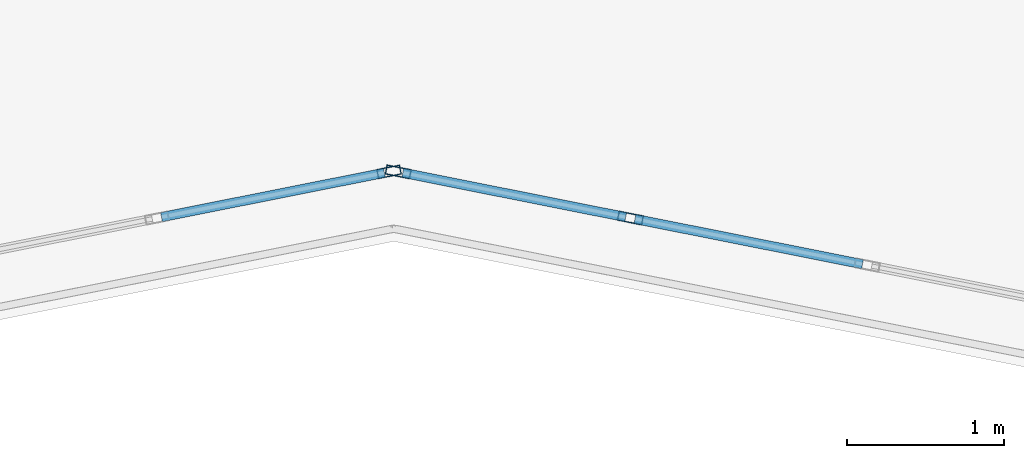
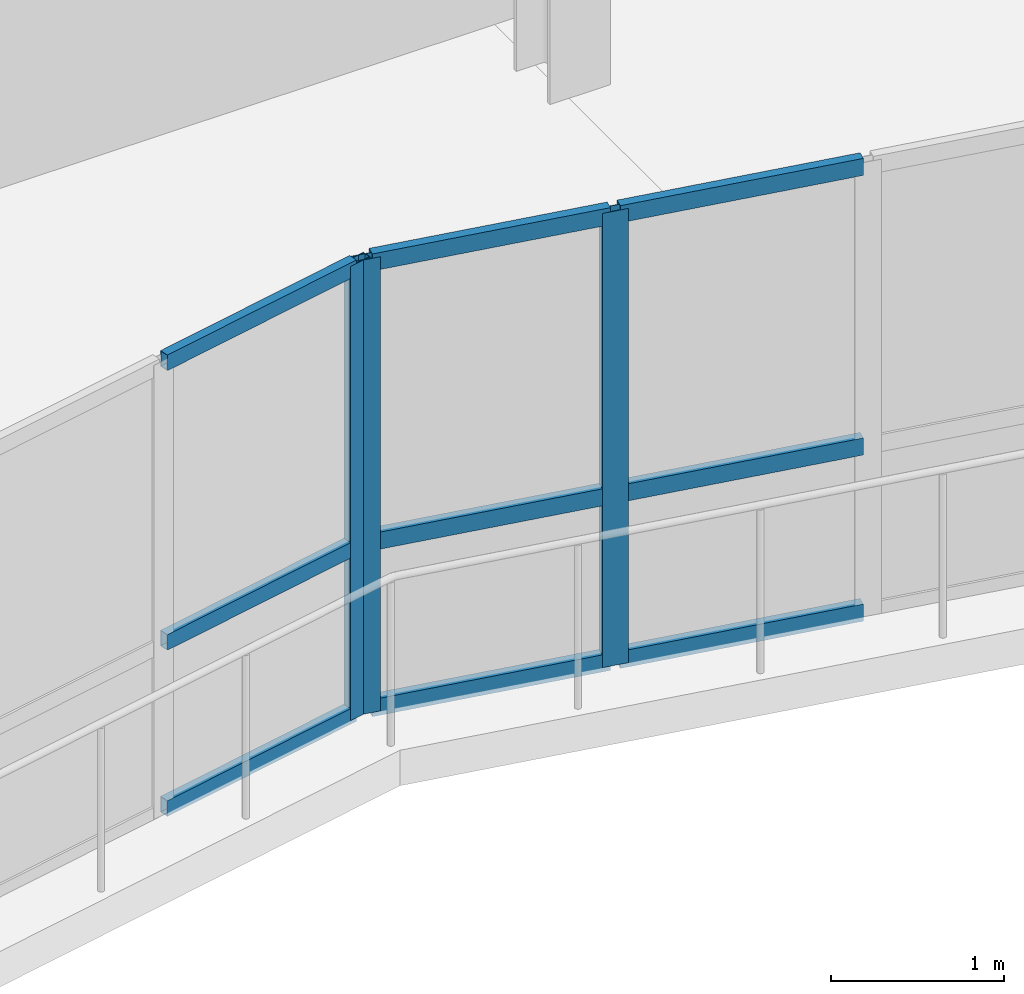
# One storey, part 23 of 110: 12 members, 2 elements without a shape of their own.
"""IFC4 building model written with IfcOpenShell, lengths in metres."""

from ifc_helpers import new_model, si_unit, direction, frame, origin, origin_2d, place, context, subcontext, project, spatial, hollow_rectangle, extrude, material, layer, layer_set, material_profile, profile_set, type_object, element, aggregate, save


model = new_model("IFC4")

# Units and contexts
model_context = context("Model", 3, precision=1e-05, world=origin(), true_north=direction((0.0, 1.0)))
body_context = subcontext(model_context, "Body", "Model", "MODEL_VIEW")
ifc_project = project(units=[si_unit("LENGTHUNIT", "METRE"), si_unit("AREAUNIT", "SQUARE_METRE"), si_unit("VOLUMEUNIT", "CUBIC_METRE"), si_unit("PLANEANGLEUNIT", "RADIAN"), si_unit("MASSUNIT", "GRAM", prefix="KILO"), si_unit("THERMODYNAMICTEMPERATUREUNIT", "KELVIN")], contexts=[model_context])

# Site, building, storey
site_placement = place(None, origin())
site = spatial("IfcSite", under=ifc_project, at=site_placement, CompositionType="ELEMENT")
building_placement = place(site_placement, origin())
building = spatial("IfcBuilding", under=site, at=building_placement, Name="Lustrewick Department Store", CompositionType="ELEMENT")
storey_placement = place(building_placement, frame((0.0, 0.0, 6.0)))
storey = spatial("IfcBuildingStorey", under=building, at=storey_placement, Name="L02", CompositionType="ELEMENT", Elevation=6.0)

# Curtain wall, members
ifc_material = material(Name="Thermally broken aluminium 6063-T5", Category="aluminium")
ifc_layer_1 = layer(ifc_material, 0.159912109375, Name="Thermally broken aluminium 6063-T5")
ifc_layer_set_1 = layer_set([ifc_layer_1], Name="Thermally broken aluminium 6063-T5")
curtain_wall_type_1 = type_object("IfcCurtainWallType", Name="CW17", PredefinedType="NOTDEFINED", material=ifc_layer_set_1)
curtain_wall_1_placement = place(storey_placement, origin())
curtain_wall_1 = element("IfcCurtainWall", 1, at=curtain_wall_1_placement, inside=storey, type_object=curtain_wall_type_1, Name="L02 Atrium Glazed Screen CW17", PredefinedType="NOTDEFINED")
ifc_material_profile_1 = material_profile(ifc_material, hollow_rectangle(XDim=0.06005859375, YDim=0.159912109375, WallThickness=0.00390625, at=origin_2d()), Name="ALU-M 60x160x4")
ifc_profile_set_1 = profile_set([ifc_material_profile_1], Name="Thermally broken aluminium 6063-T5")
member_type_1 = type_object("IfcMemberType", Name="CW17-M1", PredefinedType="MULLION", material=ifc_profile_set_1)
member_1_placement = place(storey_placement, frame((30.91162109375, 78.749267578125, 0.0), z_axis=(0.0, 0.0, 1.0), x_axis=(-0.195084537521, -0.980786430993, 0.0)))
member_1 = element("IfcMember", 2, at=member_1_placement, type_object=member_type_1, Name="CW17 mullion 3", PredefinedType="MULLION", context=body_context, shape_type="SweptSolid", body=[
    extrude(hollow_rectangle(XDim=0.06005859375, YDim=0.159912109375, WallThickness=0.00390625, at=origin_2d()), origin(), (0.0, 0.0, 1.0), 3.199951171875),
])
member_2_placement = place(storey_placement, frame((29.429443359375, 79.044189453125, 0.0), z_axis=(0.0, 0.0, 1.0), x_axis=(-0.195084537521, -0.980786430993, 0.0)))
member_2 = element("IfcMember", 3, at=member_2_placement, type_object=member_type_1, Name="CW17 mullion 4", PredefinedType="MULLION", context=body_context, shape_type="SweptSolid", body=[
    extrude(hollow_rectangle(XDim=0.06005859375, YDim=0.159912109375, WallThickness=0.00390625, at=origin_2d()), origin(), (0.0, 0.0, 1.0), 3.199951171875),
])
ifc_material_profile_2 = material_profile(ifc_material, hollow_rectangle(XDim=0.06005859375, YDim=0.1201171875, WallThickness=0.00341796875, at=origin_2d()), Name="ALU-T 60x120x3.5")
ifc_profile_set_2 = profile_set([ifc_material_profile_2], Name="Thermally broken aluminium 6063-T5")
member_type_2 = type_object("IfcMemberType", Name="CW17-T1", PredefinedType="USERDEFINED", material=ifc_profile_set_2)
member_3_placement = place(storey_placement, frame((32.393798828125, 78.45458984375, 0.030029296875), z_axis=(-0.980808215859, 0.194974982249, 0.0), x_axis=(-0.194974982249, -0.980808215859, 0.0)))
member_3 = element("IfcMember", 4, at=member_3_placement, type_object=member_type_2, Name="CW17 transom 2.1", ObjectType="TRANSOM", PredefinedType="USERDEFINED", context=body_context, shape_type="SweptSolid", body=[
    extrude(hollow_rectangle(XDim=0.06005859375, YDim=0.1201171875, WallThickness=0.00341796875, at=origin_2d()), origin(), (0.0, 0.0, 1.0), 1.481201171875),
])
member_4_placement = place(storey_placement, frame((32.393798828125, 78.45458984375, 1.199951171875), z_axis=(-0.980808215859, 0.194974982249, 0.0), x_axis=(-0.194974982249, -0.980808215859, 0.0)))
member_4 = element("IfcMember", 5, at=member_4_placement, type_object=member_type_2, Name="CW17 transom 2.2", ObjectType="TRANSOM", PredefinedType="USERDEFINED", context=body_context, shape_type="SweptSolid", body=[
    extrude(hollow_rectangle(XDim=0.06005859375, YDim=0.1201171875, WallThickness=0.00341796875, at=origin_2d()), origin(), (0.0, 0.0, 1.0), 1.481201171875),
])
member_5_placement = place(storey_placement, frame((32.393798828125, 78.45458984375, 3.169921875), z_axis=(-0.980808215859, 0.194974982249, 0.0), x_axis=(-0.194974982249, -0.980808215859, 0.0)))
member_5 = element("IfcMember", 6, at=member_5_placement, type_object=member_type_2, Name="CW17 transom 2.3", ObjectType="TRANSOM", PredefinedType="USERDEFINED", context=body_context, shape_type="SweptSolid", body=[
    extrude(hollow_rectangle(XDim=0.06005859375, YDim=0.1201171875, WallThickness=0.00341796875, at=origin_2d()), origin(), (0.0, 0.0, 1.0), 1.481201171875),
])
member_6_placement = place(storey_placement, frame((30.882080078125, 78.755126953125, 0.030029296875), z_axis=(-0.980774305612, 0.195145487909, 0.0), x_axis=(-0.195145487909, -0.980774305612, 0.0)))
member_6 = element("IfcMember", 7, at=member_6_placement, type_object=member_type_2, Name="CW17 transom 3.1", ObjectType="TRANSOM", PredefinedType="USERDEFINED", context=body_context, shape_type="SweptSolid", body=[
    extrude(hollow_rectangle(XDim=0.06005859375, YDim=0.1201171875, WallThickness=0.00341796875, at=origin_2d()), origin(), (0.0, 0.0, 1.0), 1.451171875),
])
member_7_placement = place(storey_placement, frame((30.882080078125, 78.755126953125, 1.199951171875), z_axis=(-0.980774305612, 0.195145487909, 0.0), x_axis=(-0.195145487909, -0.980774305612, 0.0)))
member_7 = element("IfcMember", 8, at=member_7_placement, type_object=member_type_2, Name="CW17 transom 3.2", ObjectType="TRANSOM", PredefinedType="USERDEFINED", context=body_context, shape_type="SweptSolid", body=[
    extrude(hollow_rectangle(XDim=0.06005859375, YDim=0.1201171875, WallThickness=0.00341796875, at=origin_2d()), origin(), (0.0, 0.0, 1.0), 1.451171875),
])
member_8_placement = place(storey_placement, frame((30.882080078125, 78.755126953125, 3.169921875), z_axis=(-0.980774305612, 0.195145487909, 0.0), x_axis=(-0.195145487909, -0.980774305612, 0.0)))
member_8 = element("IfcMember", 9, at=member_8_placement, type_object=member_type_2, Name="CW17 transom 3.3", ObjectType="TRANSOM", PredefinedType="USERDEFINED", context=body_context, shape_type="SweptSolid", body=[
    extrude(hollow_rectangle(XDim=0.06005859375, YDim=0.1201171875, WallThickness=0.00341796875, at=origin_2d()), origin(), (0.0, 0.0, 1.0), 1.451171875),
])
aggregate(curtain_wall_1, [member_1, member_2, member_3, member_4, member_5, member_6, member_7, member_8])

ifc_layer_2 = layer(ifc_material, 0.14990234375, Name="Thermally broken aluminium 6063-T5")
ifc_layer_set_2 = layer_set([ifc_layer_2], Name="Thermally broken aluminium 6063-T5")
curtain_wall_type_2 = type_object("IfcCurtainWallType", Name="CW18", PredefinedType="NOTDEFINED", material=ifc_layer_set_2)
curtain_wall_2_placement = place(storey_placement, origin())
curtain_wall_2 = element("IfcCurtainWall", 10, at=curtain_wall_2_placement, inside=storey, type_object=curtain_wall_type_2, Name="L02 Atrium Glazed Screen CW18", PredefinedType="NOTDEFINED")
ifc_material_profile_3 = material_profile(ifc_material, hollow_rectangle(XDim=0.06005859375, YDim=0.14990234375, WallThickness=0.00341796875, at=origin_2d()), Name="ALU-M 60x150x3.5")
ifc_profile_set_3 = profile_set([ifc_material_profile_3], Name="Thermally broken aluminium 6063-T5")
member_type_3 = type_object("IfcMemberType", Name="CW18-M1", PredefinedType="MULLION", material=ifc_profile_set_3)
member_9_placement = place(storey_placement, frame((29.37060546875, 79.044189453125, 0.0), z_axis=(0.0, 0.0, 1.0), x_axis=(0.195084537521, -0.980786430993, 0.0)))
member_9 = element("IfcMember", 11, at=member_9_placement, type_object=member_type_3, Name="CW18 mullion 1", PredefinedType="MULLION", context=body_context, shape_type="SweptSolid", body=[
    extrude(hollow_rectangle(XDim=0.06005859375, YDim=0.14990234375, WallThickness=0.00341796875, at=origin_2d()), origin(), (0.0, 0.0, 1.0), 3.199951171875),
])
ifc_material_profile_4 = material_profile(ifc_material, hollow_rectangle(XDim=0.06005859375, YDim=0.110107421875, WallThickness=0.0029296875, at=origin_2d()), Name="ALU-T 60x110x3")
ifc_profile_set_4 = profile_set([ifc_material_profile_4], Name="Thermally broken aluminium 6063-T5")
member_type_4 = type_object("IfcMemberType", Name="CW18-T1", PredefinedType="USERDEFINED", material=ifc_profile_set_4)
member_10_placement = place(storey_placement, frame((29.341064453125, 79.038330078125, 0.030029296875), z_axis=(-0.980774305612, -0.195145487909, 0.0), x_axis=(0.195145487909, -0.980774305612, 0.0)))
member_10 = element("IfcMember", 12, at=member_10_placement, type_object=member_type_4, Name="CW18 transom 1.1", ObjectType="TRANSOM", PredefinedType="USERDEFINED", context=body_context, shape_type="SweptSolid", body=[
    extrude(hollow_rectangle(XDim=0.06005859375, YDim=0.110107421875, WallThickness=0.0029296875, at=origin_2d()), origin(), (0.0, 0.0, 1.0), 1.451171875),
])
member_11_placement = place(storey_placement, frame((29.341064453125, 79.038330078125, 1.199951171875), z_axis=(-0.980774305612, -0.195145487909, 0.0), x_axis=(0.195145487909, -0.980774305612, 0.0)))
member_11 = element("IfcMember", 13, at=member_11_placement, type_object=member_type_4, Name="CW18 transom 1.2", ObjectType="TRANSOM", PredefinedType="USERDEFINED", context=body_context, shape_type="SweptSolid", body=[
    extrude(hollow_rectangle(XDim=0.06005859375, YDim=0.110107421875, WallThickness=0.0029296875, at=origin_2d()), origin(), (0.0, 0.0, 1.0), 1.451171875),
])
member_12_placement = place(storey_placement, frame((29.341064453125, 79.038330078125, 3.169921875), z_axis=(-0.980774305612, -0.195145487909, 0.0), x_axis=(0.195145487909, -0.980774305612, 0.0)))
member_12 = element("IfcMember", 14, at=member_12_placement, type_object=member_type_4, Name="CW18 transom 1.3", ObjectType="TRANSOM", PredefinedType="USERDEFINED", context=body_context, shape_type="SweptSolid", body=[
    extrude(hollow_rectangle(XDim=0.06005859375, YDim=0.110107421875, WallThickness=0.0029296875, at=origin_2d()), origin(), (0.0, 0.0, 1.0), 1.451171875),
])
aggregate(curtain_wall_2, [member_9, member_10, member_11, member_12])

save(model, "model.ifc")
